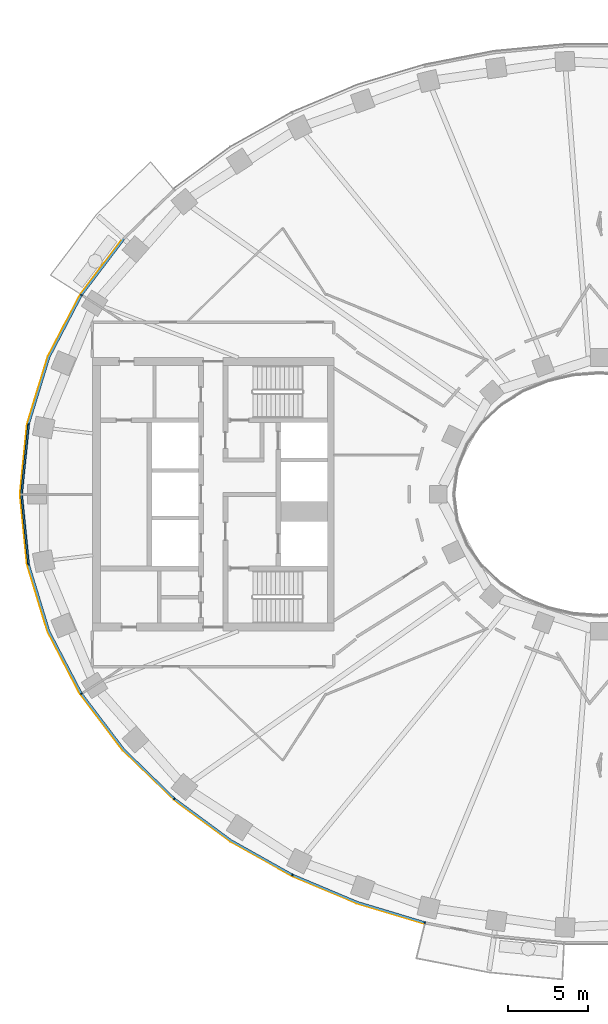
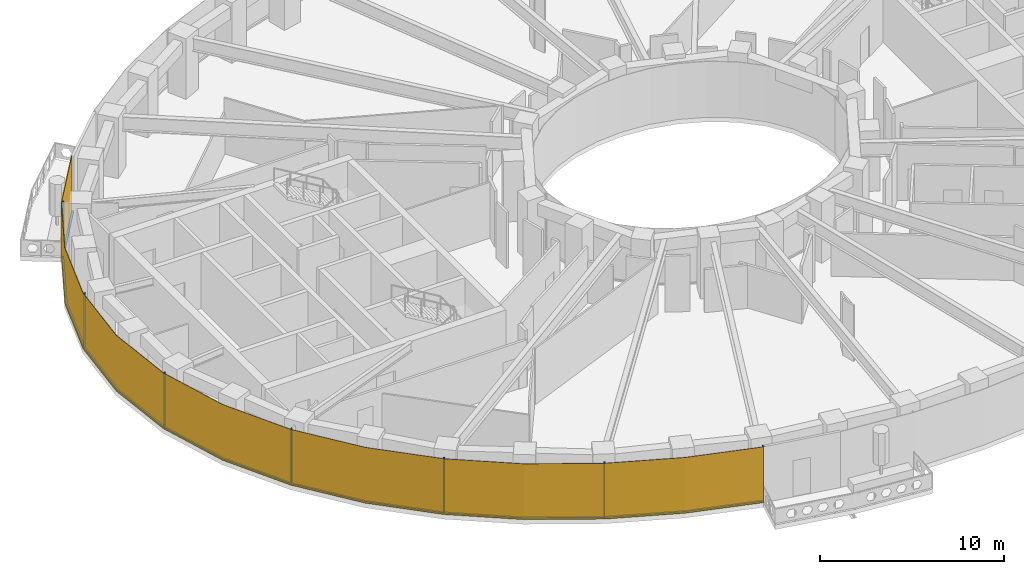
# One storey, part 8 of 16: 14 members, 1 curtain wall.
"""IFC4 building model written with IfcOpenShell, lengths in metres."""

from ifc_helpers import new_model, si_unit, direction, frame, origin, origin_2d, place, context, subcontext, project, spatial, polyline, rectangle, outline, extrude, material, layer, layer_set, material_profile, profile_set, type_object, element, aggregate, save


model = new_model("IFC4")

# Units and contexts
model_context = context("Model", 3, precision=1e-05, world=origin(), true_north=direction((0.0, 1.0)))
body_context = subcontext(model_context, "Body", "Model", "MODEL_VIEW")
ifc_project = project(units=[si_unit("LENGTHUNIT", "METRE"), si_unit("AREAUNIT", "SQUARE_METRE"), si_unit("VOLUMEUNIT", "CUBIC_METRE"), si_unit("PLANEANGLEUNIT", "RADIAN"), si_unit("MASSUNIT", "GRAM", prefix="KILO")], contexts=[model_context])

# Member
ifc_material_1 = material(Name="Aluminium 6063-T6 black anodised", Category="aluminium")
ifc_material_profile = material_profile(ifc_material_1, rectangle(XDim=0.1201171875, YDim=0.06005859375, at=origin_2d()), Name="120x60")
ifc_profile_set = profile_set([ifc_material_profile], Name="Aluminium 6063-T6 black anodised")
member_type_1 = type_object("IfcMemberType", Name="ENV-MULLION-A-120", PredefinedType="MULLION", material=ifc_profile_set)
site_placement = place(None, origin())
building_placement = place(site_placement, origin())
storey_placement = place(building_placement, frame((0.0, 0.0, 166.0)))
member_1_placement = place(storey_placement, frame((-32.177490234375, 12.385498046875, 0.0), z_axis=(0.0, 0.0, 1.0), x_axis=(0.844829880882, -0.53503501976, 0.0)))
member_1 = element("IfcMember", 1, at=member_1_placement, type_object=member_type_1, Name="Mullion A radial 21", PredefinedType="MULLION", context=body_context, shape_type="SweptSolid", body=[
    extrude(rectangle(XDim=0.1201171875, YDim=0.06005859375, at=origin_2d()), origin(), (0.0, 0.0, 1.0), 3.699951171875),
])

member_2_placement = place(storey_placement, frame((-35.470947265625, 4.340576171875, 0.0), z_axis=(0.0, 0.0, 1.0), x_axis=(0.980379083141, -0.19712141776, 0.0)))
member_2 = element("IfcMember", 2, at=member_2_placement, type_object=member_type_1, Name="Mullion A radial 23", PredefinedType="MULLION", context=body_context, shape_type="SweptSolid", body=[
    extrude(rectangle(XDim=0.1201171875, YDim=0.06005859375, at=origin_2d()), origin(), (0.0, 0.0, 1.0), 3.699951171875),
])

member_3_placement = place(storey_placement, frame((-35.470947265625, -4.340576171875, 0.0), z_axis=(0.0, 0.0, 1.0), x_axis=(0.980379083141, 0.19712141776, 0.0)))
member_3 = element("IfcMember", 3, at=member_3_placement, type_object=member_type_1, Name="Mullion A radial 25", PredefinedType="MULLION", context=body_context, shape_type="SweptSolid", body=[
    extrude(rectangle(XDim=0.1201171875, YDim=0.06005859375, at=origin_2d()), origin(), (0.0, 0.0, 1.0), 3.699951171875),
])

member_4_placement = place(storey_placement, frame((-32.177490234375, -12.385498046875, 0.0), z_axis=(0.0, 0.0, 1.0), x_axis=(0.844829880882, 0.53503501976, 0.0)))
member_4 = element("IfcMember", 4, at=member_4_placement, type_object=member_type_1, Name="Mullion A radial 27", PredefinedType="MULLION", context=body_context, shape_type="SweptSolid", body=[
    extrude(rectangle(XDim=0.1201171875, YDim=0.06005859375, at=origin_2d()), origin(), (0.0, 0.0, 1.0), 3.699951171875),
])

member_5_placement = place(storey_placement, frame((-26.403564453125, -18.9130859375, 0.0), z_axis=(0.0, 0.0, 1.0), x_axis=(0.646451313783, 0.762955240435, 0.0)))
member_5 = element("IfcMember", 5, at=member_5_placement, type_object=member_type_1, Name="Mullion A radial 29", PredefinedType="MULLION", context=body_context, shape_type="SweptSolid", body=[
    extrude(rectangle(XDim=0.1201171875, YDim=0.06005859375, at=origin_2d()), origin(), (0.0, 0.0, 1.0), 3.699951171875),
])

member_6_placement = place(storey_placement, frame((-19.06787109375, -23.6474609375, 0.0), z_axis=(0.0, 0.0, 1.0), x_axis=(0.439237769837, 0.898370848563, 0.0)))
member_6 = element("IfcMember", 6, at=member_6_placement, type_object=member_type_1, Name="Mullion A radial 31", PredefinedType="MULLION", context=body_context, shape_type="SweptSolid", body=[
    extrude(rectangle(XDim=0.1201171875, YDim=0.06005859375, at=origin_2d()), origin(), (0.0, 0.0, 1.0), 3.699951171875),
])

member_7_placement = place(storey_placement, frame((-10.84326171875, -26.60498046875, 0.0), z_axis=(0.0, 0.0, 1.0), x_axis=(0.239799081534, 0.970822538106, 0.0)))
member_7 = element("IfcMember", 7, at=member_7_placement, type_object=member_type_1, Name="Mullion A radial 33", PredefinedType="MULLION", context=body_context, shape_type="SweptSolid", body=[
    extrude(rectangle(XDim=0.1201171875, YDim=0.06005859375, at=origin_2d()), origin(), (0.0, 0.0, 1.0), 3.699951171875),
])

ifc_material_2 = material(Name="Aluminium 6063-T6 black anodised", Category="aluminium")
member_type_2 = type_object("IfcMemberType", Name="ENV-TRANSOM-A", PredefinedType="USERDEFINED", material=ifc_material_2)
member_8_placement = place(storey_placement, origin())
member_8 = element("IfcMember", 8, at=member_8_placement, type_object=member_type_2, Name="Transom A radial 20-21", ObjectType="TRANSOM", PredefinedType="USERDEFINED", context=body_context, shape_type="SweptSolid", body=[
    extrude(outline(polyline([(-29.595703125, 15.890869140625), (-32.211181640625, 12.43994140625), (-32.109375, 12.37548828125), (-29.505615234375, 15.811279296875), (-29.595703125, 15.890869140625)])), origin(), (0.0, 0.0, 1.0), 0.10009765625),
])

member_9_placement = place(storey_placement, origin())
member_9 = element("IfcMember", 9, at=member_9_placement, type_object=member_type_2, Name="Transom A radial 21-23", ObjectType="TRANSOM", PredefinedType="USERDEFINED", context=body_context, shape_type="SweptSolid", body=[
    extrude(outline(polyline([(-32.240966796875, 12.392578125), (-34.251220703125, 8.53662109375), (-35.521484375, 4.379150390625), (-35.4033203125, 4.355224609375), (-34.139892578125, 8.490966796875), (-32.139404296875, 12.328369140625), (-32.240966796875, 12.392578125)])), origin(), (0.0, 0.0, 1.0), 0.10009765625),
])

member_10_placement = place(storey_placement, origin())
member_10 = element("IfcMember", 10, at=member_10_placement, type_object=member_type_2, Name="Transom A radial 23-25", ObjectType="TRANSOM", PredefinedType="USERDEFINED", context=body_context, shape_type="SweptSolid", body=[
    extrude(outline(polyline([(-35.532470703125, 4.324462890625), (-35.9677734375, 0.0), (-35.532470703125, -4.324462890625), (-35.414306640625, -4.30078125), (-35.84716796875, 0.0), (-35.414306640625, 4.30078125), (-35.532470703125, 4.324462890625)])), origin(), (0.0, 0.0, 1.0), 0.10009765625),
])

member_11_placement = place(storey_placement, origin())
member_11 = element("IfcMember", 11, at=member_11_placement, type_object=member_type_2, Name="Transom A radial 25-27", ObjectType="TRANSOM", PredefinedType="USERDEFINED", context=body_context, shape_type="SweptSolid", body=[
    extrude(outline(polyline([(-35.521484375, -4.379150390625), (-34.251220703125, -8.53662109375), (-32.240966796875, -12.392578125), (-32.139404296875, -12.328369140625), (-34.139892578125, -8.490966796875), (-35.4033203125, -4.355224609375), (-35.521484375, -4.379150390625)])), origin(), (0.0, 0.0, 1.0), 0.10009765625),
])

member_12_placement = place(storey_placement, origin())
member_12 = element("IfcMember", 12, at=member_12_placement, type_object=member_type_2, Name="Transom A radial 27-29", ObjectType="TRANSOM", PredefinedType="USERDEFINED", context=body_context, shape_type="SweptSolid", body=[
    extrude(outline(polyline([(-32.211181640625, -12.43994140625), (-29.58349609375, -15.906982421875), (-26.46240234375, -18.939208984375), (-26.384765625, -18.847412109375), (-29.493408203125, -15.8271484375), (-32.109375, -12.37548828125), (-32.211181640625, -12.43994140625)])), origin(), (0.0, 0.0, 1.0), 0.10009765625),
])

member_13_placement = place(storey_placement, origin())
member_13 = element("IfcMember", 13, at=member_13_placement, type_object=member_type_2, Name="Transom A radial 29-31", ObjectType="TRANSOM", PredefinedType="USERDEFINED", context=body_context, shape_type="SweptSolid", body=[
    extrude(outline(polyline([(-26.419921875, -18.975341796875), (-22.9150390625, -21.556884765625), (-19.11865234375, -23.687744140625), (-19.06591796875, -23.57958984375), (-22.85009765625, -21.455810546875), (-26.342041015625, -18.883544921875), (-26.419921875, -18.975341796875)])), origin(), (0.0, 0.0, 1.0), 0.10009765625),
])

member_14_placement = place(storey_placement, origin())
member_14 = element("IfcMember", 14, at=member_14_placement, type_object=member_type_2, Name="Transom A radial 31-33", ObjectType="TRANSOM", PredefinedType="USERDEFINED", context=body_context, shape_type="SweptSolid", body=[
    extrude(outline(polyline([(-19.068359375, -23.71240234375), (-15.054443359375, -25.400146484375), (-10.884521484375, -26.655029296875), (-10.855712890625, -26.53857421875), (-15.013916015625, -25.287109375), (-19.015380859375, -23.604248046875), (-19.068359375, -23.71240234375)])), origin(), (0.0, 0.0, 1.0), 0.10009765625),
])

# Site, building, storey
site = spatial("IfcSite", under=ifc_project, at=site_placement, CompositionType="ELEMENT")
building = spatial("IfcBuilding", under=site, at=building_placement, Name="Noorbagh Ring Tower", CompositionType="ELEMENT")
storey = spatial("IfcBuildingStorey", under=building, at=storey_placement, Name="L38", CompositionType="ELEMENT", Elevation=166.0)

# Curtain wall
ifc_material_3 = material(Name="Glass dark tinted laminated", Category="glass")
ifc_layer = layer(ifc_material_3, 0.031982421875)
ifc_layer_set = layer_set([ifc_layer], Name="Glass dark tinted laminated")
curtain_wall_type = type_object("IfcCurtainWallType", Name="ENV-CW-A", PredefinedType="NOTDEFINED", material=ifc_layer_set)
curtain_wall_placement = place(storey_placement, origin())
curtain_wall = element("IfcCurtainWall", 15, at=curtain_wall_placement, inside=storey, type_object=curtain_wall_type, Name="Curtain wall A R20", PredefinedType="NOTDEFINED", context=body_context, shape_type="SweptSolid", body=[
    extrude(outline(polyline([(-29.61962890625, 15.912109375), (-32.255126953125, 12.434814453125), (-34.281005859375, 8.548828125), (-35.561279296875, 4.358642578125), (-36.0, 0.0), (-35.561279296875, -4.358642578125), (-34.281005859375, -8.548828125), (-32.255126953125, -12.434814453125), (-29.607666015625, -15.927978515625), (-26.463134765625, -18.9833984375), (-22.9326171875, -21.583740234375), (-19.108154296875, -23.730224609375), (-15.065185546875, -25.430419921875), (-10.884521484375, -26.6884765625), (-10.876708984375, -26.657470703125), (-15.054443359375, -25.400146484375), (-19.093994140625, -23.701416015625), (-22.9150390625, -21.556884765625), (-26.4423828125, -18.958740234375), (-29.58349609375, -15.906982421875), (-32.22802734375, -12.41748046875), (-34.251220703125, -8.53662109375), (-35.529541015625, -4.352294921875), (-35.9677734375, 0.0), (-35.529541015625, 4.352294921875), (-34.251220703125, 8.53662109375), (-32.22802734375, 12.41748046875), (-29.595703125, 15.890869140625), (-29.61962890625, 15.912109375)])), origin(), (0.0, 0.0, 1.0), 3.699951171875),
])

aggregate(curtain_wall, [member_1, member_2, member_3, member_4, member_5, member_6, member_7, member_8, member_9, member_10, member_11, member_12, member_13, member_14])

save(model, "model.ifc")
